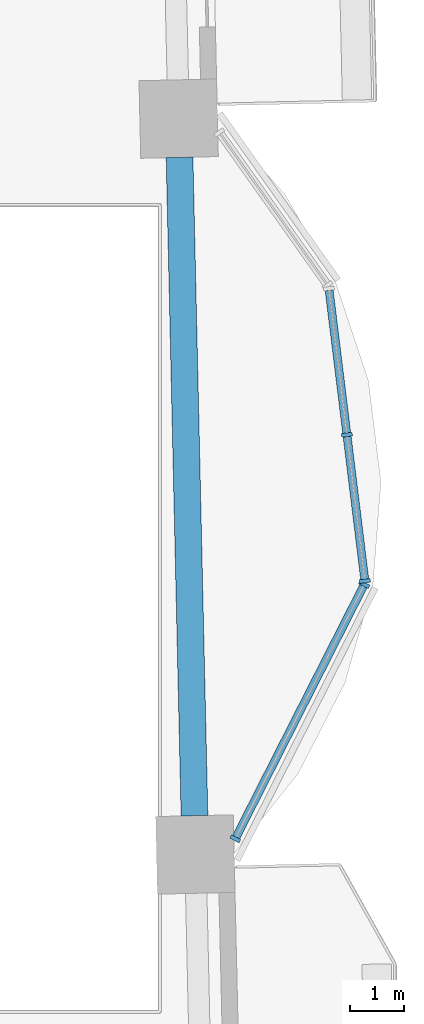
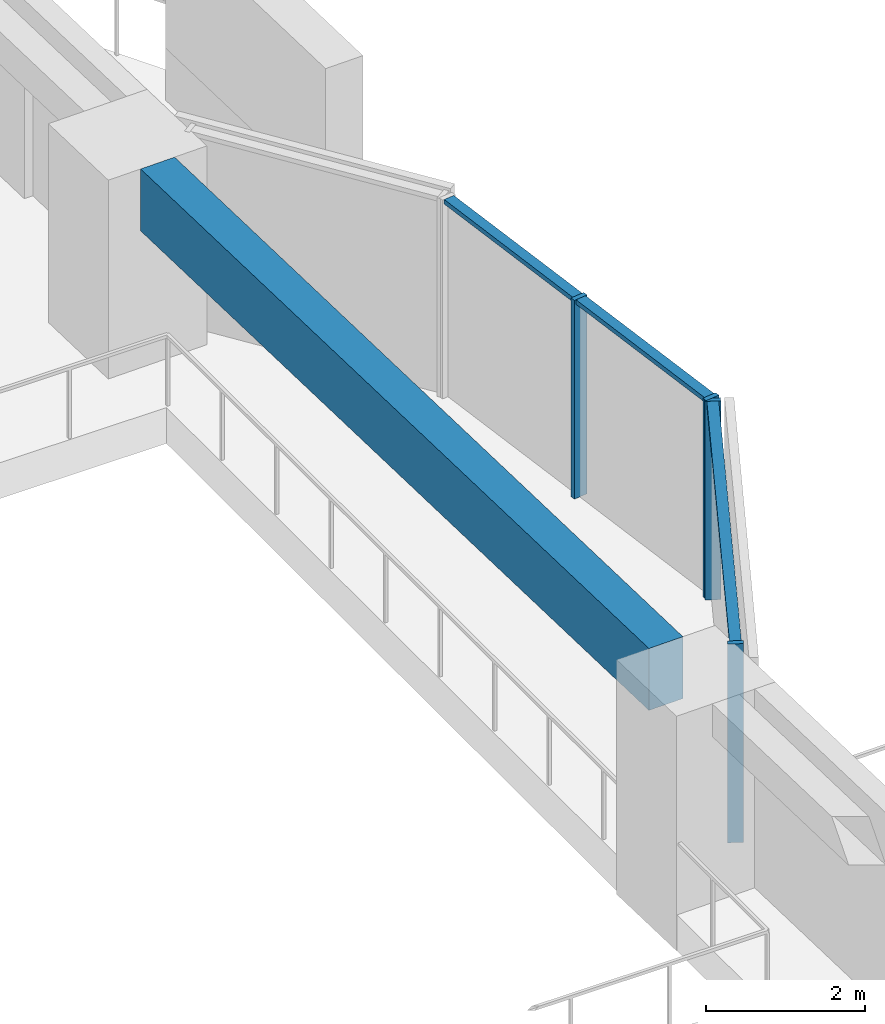
# One storey, part 2 of 17: 7 members, 1 beam, 2 elements without a shape of their own.
"""IFC4 building model written with IfcOpenShell, lengths in metres."""

from ifc_helpers import new_model, si_unit, direction, frame, origin, origin_2d, place, context, subcontext, project, spatial, rectangle, extrude, material, material_profile, profile_set, type_object, element, aggregate, save


model = new_model("IFC4")

# Units and contexts
model_context = context("Model", 3, precision=1e-05, world=origin(), true_north=direction((0.0, 1.0)))
body_context = subcontext(model_context, "Body", "Model", "MODEL_VIEW")
ifc_project = project(units=[si_unit("LENGTHUNIT", "METRE"), si_unit("AREAUNIT", "SQUARE_METRE"), si_unit("VOLUMEUNIT", "CUBIC_METRE"), si_unit("PLANEANGLEUNIT", "RADIAN"), si_unit("MASSUNIT", "GRAM", prefix="KILO")], contexts=[model_context])

# Site, building, storey
site_placement = place(None, origin())
site = spatial("IfcSite", under=ifc_project, at=site_placement, CompositionType="ELEMENT")
building_placement = place(site_placement, origin())
building = spatial("IfcBuilding", under=site, at=building_placement, Name="Mangrove Gate Tower", CompositionType="ELEMENT")
storey_placement = place(building_placement, frame((0.0, 0.0, 79.300048828125)))
storey = spatial("IfcBuildingStorey", under=building, at=storey_placement, Name="L19", CompositionType="ELEMENT", Elevation=79.300048828125)

# Curtain wall, members
ifc_material_1 = material(Name="Aluminium and glass curtain wall", Category="aluminium")
curtain_wall_type = type_object("IfcCurtainWallType", Name="Atrium garden-court glazing wall", PredefinedType="NOTDEFINED", material=ifc_material_1)
curtain_wall_1_placement = place(storey_placement, origin())
curtain_wall_1 = element("IfcCurtainWall", 1, at=curtain_wall_1_placement, inside=storey, type_object=curtain_wall_type, Name="Atrium garden-court glazing E1f1", PredefinedType="NOTDEFINED")
ifc_material_2 = material(Name="Aluminium alloy 6063-T6", Category="aluminium")
ifc_material_profile_1 = material_profile(ifc_material_2, rectangle(XDim=0.070068359375, YDim=0.199951171875, at=origin_2d()))
ifc_profile_set_1 = profile_set([ifc_material_profile_1], Name="Aluminium alloy 6063-T6")
member_type_1 = type_object("IfcMemberType", Name="Atrium garden-court glazing mullion 70x200", PredefinedType="MULLION", material=ifc_profile_set_1)
member_1_placement = place(storey_placement, frame((30.105224609375, -4.3037109375, 0.0), z_axis=(0.0, 0.0, 1.0), x_axis=(0.452580762064, 0.891723417776, 0.0)))
member_1 = element("IfcMember", 2, at=member_1_placement, type_object=member_type_1, Name="CWA mullion 1", PredefinedType="MULLION", context=body_context, shape_type="SweptSolid", body=[
    extrude(rectangle(XDim=0.070068359375, YDim=0.199951171875, at=origin_2d()), origin(), (0.0, 0.0, 1.0), 3.050048828125),
])
member_2_placement = place(storey_placement, frame((32.516357421875, 0.44677734375, 0.0), z_axis=(0.0, 0.0, 1.0), x_axis=(0.452580762064, 0.891723417776, 0.0)))
member_2 = element("IfcMember", 3, at=member_2_placement, type_object=member_type_1, Name="CWA mullion 2", PredefinedType="MULLION", context=body_context, shape_type="SweptSolid", body=[
    extrude(rectangle(XDim=0.070068359375, YDim=0.199951171875, at=origin_2d()), origin(), (0.0, 0.0, 1.0), 3.050048828125),
])

curtain_wall_2_placement = place(storey_placement, origin())
curtain_wall_2 = element("IfcCurtainWall", 4, at=curtain_wall_2_placement, inside=storey, type_object=curtain_wall_type, Name="Atrium garden-court glazing E1f2", PredefinedType="NOTDEFINED")
member_3_placement = place(storey_placement, frame((32.528076171875, 0.512939453125, 0.0), z_axis=(0.0, 0.0, 1.0), x_axis=(-0.122172286076, 0.992508908028, 0.0)))
member_3 = element("IfcMember", 5, at=member_3_placement, type_object=member_type_1, Name="CWA mullion 1", PredefinedType="MULLION", context=body_context, shape_type="SweptSolid", body=[
    extrude(rectangle(XDim=0.070068359375, YDim=0.199951171875, at=origin_2d()), origin(), (0.0, 0.0, 1.0), 3.050048828125),
])
member_4_placement = place(storey_placement, frame((32.19189453125, 3.243896484375, 0.0), z_axis=(0.0, 0.0, 1.0), x_axis=(-0.122172286076, 0.992508908028, 0.0)))
member_4 = element("IfcMember", 6, at=member_4_placement, type_object=member_type_1, Name="CWA mullion 2", PredefinedType="MULLION", context=body_context, shape_type="SweptSolid", body=[
    extrude(rectangle(XDim=0.070068359375, YDim=0.199951171875, at=origin_2d()), origin(), (0.0, 0.0, 1.0), 3.050048828125),
])

# Member
ifc_material_3 = material(Name="Aluminium alloy 6063-T6", Category="aluminium")
ifc_material_profile_2 = material_profile(ifc_material_3, rectangle(XDim=0.070068359375, YDim=0.14990234375, at=origin_2d()))
ifc_profile_set_2 = profile_set([ifc_material_profile_2], Name="Aluminium alloy 6063-T6")
member_type_2 = type_object("IfcMemberType", Name="Atrium garden-court glazing transom 70x150", PredefinedType="USERDEFINED", material=ifc_profile_set_2)
member_5_placement = place(storey_placement, frame((30.12109375, -4.2724609375, 3.014892578125), z_axis=(0.452573642037, 0.891727031402, 0.0), x_axis=(0.0, 0.0, 1.0)))
member_5 = element("IfcMember", 7, at=member_5_placement, type_object=member_type_2, Name="CWA transom 1.2", ObjectType="TRANSOM", PredefinedType="USERDEFINED", context=body_context, shape_type="SweptSolid", body=[
    extrude(rectangle(XDim=0.070068359375, YDim=0.14990234375, at=origin_2d()), origin(), (0.0, 0.0, 1.0), 5.257568359375),
])

aggregate(curtain_wall_1, [member_1, member_2, member_5])

member_6_placement = place(storey_placement, frame((32.523681640625, 0.547607421875, 3.014892578125), z_axis=(-0.122174517154, 0.992508633392, 0.0), x_axis=(0.0, 0.0, 1.0)))
member_6 = element("IfcMember", 8, at=member_6_placement, type_object=member_type_2, Name="CWA transom 1.2", ObjectType="TRANSOM", PredefinedType="USERDEFINED", context=body_context, shape_type="SweptSolid", body=[
    extrude(rectangle(XDim=0.070068359375, YDim=0.14990234375, at=origin_2d()), origin(), (0.0, 0.0, 1.0), 2.681640625),
])

member_7_placement = place(storey_placement, frame((32.1875, 3.27880859375, 3.014892578125), z_axis=(-0.122174517154, 0.992508633392, 0.0), x_axis=(0.0, 0.0, 1.0)))
member_7 = element("IfcMember", 9, at=member_7_placement, type_object=member_type_2, Name="CWA transom 2.2", ObjectType="TRANSOM", PredefinedType="USERDEFINED", context=body_context, shape_type="SweptSolid", body=[
    extrude(rectangle(XDim=0.070068359375, YDim=0.14990234375, at=origin_2d()), origin(), (0.0, 0.0, 1.0), 2.681640625),
])

aggregate(curtain_wall_2, [member_3, member_4, member_6, member_7])

# Beam
ifc_material_4 = material(Name="Concrete C50/60", Category="concrete")
ifc_material_profile_3 = material_profile(ifc_material_4, rectangle(XDim=0.5, YDim=0.949951171875, at=origin_2d()))
ifc_profile_set_3 = profile_set([ifc_material_profile_3], Name="Concrete C50/60")
beam_type = type_object("IfcBeamType", Name="Edge beam RC 500x950 C50/60", PredefinedType="BEAM", material=ifc_profile_set_3)
beam_placement = place(storey_placement, frame((29.34375, -3.87255859375, 2.574951171875), z_axis=(-0.022686238453, 0.999742634174, 0.0), x_axis=(-0.999742634174, -0.022686238453, 0.0)))
element("IfcBeam", 10, at=beam_placement, inside=storey, type_object=beam_type, Name="Edge beam L19 15", PredefinedType="BEAM", context=body_context, shape_type="SweptSolid", body=[
    extrude(rectangle(XDim=0.5, YDim=0.949951171875, at=origin_2d()), origin(), (0.0, 0.0, 1.0), 12.300537109375),
])

save(model, "model.ifc")
